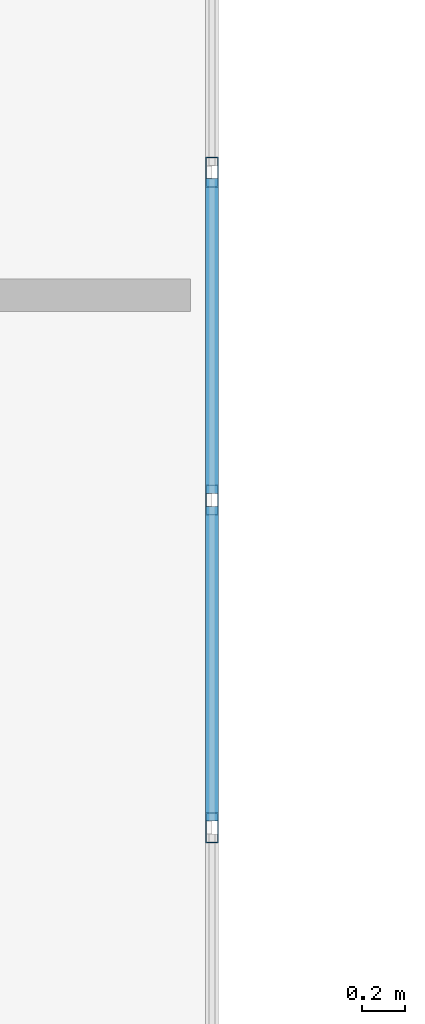
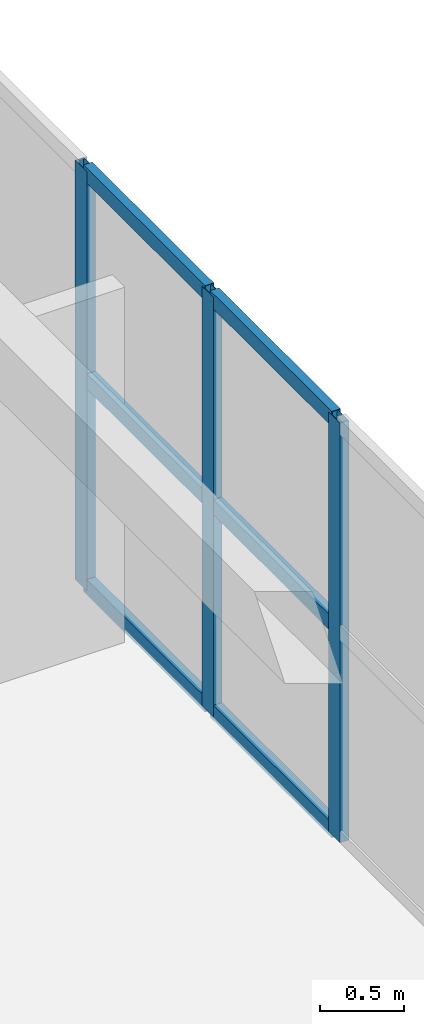
# One storey, part 75 of 200: 9 members, 1 element without a shape of its own.
"""IFC4 building model written with IfcOpenShell, lengths in metres."""

from ifc_helpers import new_model, si_unit, direction, frame, origin, origin_2d, place, context, subcontext, project, spatial, hollow_rectangle, extrude, material, layer, layer_set, material_profile, profile_set, type_object, element, aggregate, save


model = new_model("IFC4")

# Units and contexts
model_context = context("Model", 3, precision=1e-05, world=origin(), true_north=direction((0.0, 1.0)))
body_context = subcontext(model_context, "Body", "Model", "MODEL_VIEW")
ifc_project = project(units=[si_unit("LENGTHUNIT", "METRE"), si_unit("AREAUNIT", "SQUARE_METRE"), si_unit("VOLUMEUNIT", "CUBIC_METRE"), si_unit("PLANEANGLEUNIT", "RADIAN"), si_unit("MASSUNIT", "GRAM", prefix="KILO")], contexts=[model_context])

# Site, building, storey
site_placement = place(None, origin())
site = spatial("IfcSite", under=ifc_project, at=site_placement, CompositionType="ELEMENT")
building_placement = place(site_placement, origin())
building = spatial("IfcBuilding", under=site, at=building_placement, Name="Trelvath General Hospital", CompositionType="ELEMENT")
storey_placement = place(building_placement, frame((0.0, 0.0, 4.800048828125)))
storey = spatial("IfcBuildingStorey", under=building, at=storey_placement, Name="L01", CompositionType="ELEMENT", Elevation=4.800048828125)

# Curtain wall, members
ifc_material_1 = material(Name="Anodised aluminium and low-E glass", Category="aluminium")
ifc_layer = layer(ifc_material_1, 0.14990234375)
ifc_layer_set = layer_set([ifc_layer], Name="Anodised aluminium and low-E glass")
curtain_wall_type = type_object("IfcCurtainWallType", Name="CW CrystalCube 1664 306 15", PredefinedType="USERDEFINED", material=ifc_layer_set)
curtain_wall_placement = place(storey_placement, origin())
curtain_wall = element("IfcCurtainWall", 1, at=curtain_wall_placement, inside=storey, type_object=curtain_wall_type, Name="Crystal Cube Curtain Wall CUBE-E-T0 E4 L01", ObjectType="Unitised Glazed Curtain Wall", PredefinedType="USERDEFINED")
ifc_material_2 = material(Name="Anodised aluminium", Category="aluminium")
ifc_material_profile_1 = material_profile(ifc_material_2, hollow_rectangle(XDim=0.06005859375, YDim=0.139892578125, WallThickness=0.00390625, at=origin_2d()), Name="RHS60x140x4")
ifc_profile_set_1 = profile_set([ifc_material_profile_1], Name="Anodised aluminium")
member_type_1 = type_object("IfcMemberType", Name="CurtainMullion 60x140", PredefinedType="MULLION", material=ifc_profile_set_1)
member_1_placement = place(storey_placement, frame((121.199951171875, 55.01806640625, 0.0), z_axis=(0.0, 0.0, 1.0), x_axis=(1.0, 0.0, 0.0)))
member_1 = element("IfcMember", 2, at=member_1_placement, type_object=member_type_1, Name="CW-165 mullion 9", PredefinedType="MULLION", context=body_context, shape_type="SweptSolid", body=[
    extrude(hollow_rectangle(XDim=0.06005859375, YDim=0.139892578125, WallThickness=0.00390625, at=origin_2d()), origin(), (0.0, 0.0, 1.0), 3.06005859375),
])
member_2_placement = place(storey_placement, frame((121.199951171875, 53.50537109375, 0.0), z_axis=(0.0, 0.0, 1.0), x_axis=(1.0, 0.0, 0.0)))
member_2 = element("IfcMember", 3, at=member_2_placement, type_object=member_type_1, Name="CW-165 mullion 10", PredefinedType="MULLION", context=body_context, shape_type="SweptSolid", body=[
    extrude(hollow_rectangle(XDim=0.06005859375, YDim=0.139892578125, WallThickness=0.00390625, at=origin_2d()), origin(), (0.0, 0.0, 1.0), 3.06005859375),
])
member_3_placement = place(storey_placement, frame((121.199951171875, 51.99267578125, 0.0), z_axis=(0.0, 0.0, 1.0), x_axis=(1.0, 0.0, 0.0)))
member_3 = element("IfcMember", 4, at=member_3_placement, type_object=member_type_1, Name="CW-165 mullion 11", PredefinedType="MULLION", context=body_context, shape_type="SweptSolid", body=[
    extrude(hollow_rectangle(XDim=0.06005859375, YDim=0.139892578125, WallThickness=0.00390625, at=origin_2d()), origin(), (0.0, 0.0, 1.0), 3.06005859375),
])
ifc_material_3 = material(Name="Anodised aluminium", Category="aluminium")
ifc_material_profile_2 = material_profile(ifc_material_3, hollow_rectangle(XDim=0.06005859375, YDim=0.110107421875, WallThickness=0.00390625, at=origin_2d()), Name="RHS60x110x4")
ifc_profile_set_2 = profile_set([ifc_material_profile_2], Name="Anodised aluminium")
member_type_2 = type_object("IfcMemberType", Name="CurtainTransom 60x110", PredefinedType="USERDEFINED", material=ifc_profile_set_2)
member_4_placement = place(storey_placement, frame((121.199951171875, 54.98828125, 0.030029296875), z_axis=(0.0, -1.0, 0.0), x_axis=(1.0, 0.0, 0.0)))
member_4 = element("IfcMember", 5, at=member_4_placement, type_object=member_type_2, Name="CW-165 transom 9.1", ObjectType="TRANSOM", PredefinedType="USERDEFINED", context=body_context, shape_type="SweptSolid", body=[
    extrude(hollow_rectangle(XDim=0.06005859375, YDim=0.110107421875, WallThickness=0.00390625, at=origin_2d()), origin(), (0.0, 0.0, 1.0), 1.452880859375),
])
member_5_placement = place(storey_placement, frame((121.199951171875, 54.98828125, 1.530029296875), z_axis=(0.0, -1.0, 0.0), x_axis=(1.0, 0.0, 0.0)))
member_5 = element("IfcMember", 6, at=member_5_placement, type_object=member_type_2, Name="CW-165 transom 9.2", ObjectType="TRANSOM", PredefinedType="USERDEFINED", context=body_context, shape_type="SweptSolid", body=[
    extrude(hollow_rectangle(XDim=0.06005859375, YDim=0.110107421875, WallThickness=0.00390625, at=origin_2d()), origin(), (0.0, 0.0, 1.0), 1.452880859375),
])
member_6_placement = place(storey_placement, frame((121.199951171875, 54.98828125, 3.030029296875), z_axis=(0.0, -1.0, 0.0), x_axis=(1.0, 0.0, 0.0)))
member_6 = element("IfcMember", 7, at=member_6_placement, type_object=member_type_2, Name="CW-165 transom 9.3", ObjectType="TRANSOM", PredefinedType="USERDEFINED", context=body_context, shape_type="SweptSolid", body=[
    extrude(hollow_rectangle(XDim=0.06005859375, YDim=0.110107421875, WallThickness=0.00390625, at=origin_2d()), origin(), (0.0, 0.0, 1.0), 1.452880859375),
])
member_7_placement = place(storey_placement, frame((121.199951171875, 53.475341796875, 0.030029296875), z_axis=(0.0, -1.0, 0.0), x_axis=(1.0, 0.0, 0.0)))
member_7 = element("IfcMember", 8, at=member_7_placement, type_object=member_type_2, Name="CW-165 transom 10.1", ObjectType="TRANSOM", PredefinedType="USERDEFINED", context=body_context, shape_type="SweptSolid", body=[
    extrude(hollow_rectangle(XDim=0.06005859375, YDim=0.110107421875, WallThickness=0.00390625, at=origin_2d()), origin(), (0.0, 0.0, 1.0), 1.45263671875),
])
member_8_placement = place(storey_placement, frame((121.199951171875, 53.475341796875, 1.530029296875), z_axis=(0.0, -1.0, 0.0), x_axis=(1.0, 0.0, 0.0)))
member_8 = element("IfcMember", 9, at=member_8_placement, type_object=member_type_2, Name="CW-165 transom 10.2", ObjectType="TRANSOM", PredefinedType="USERDEFINED", context=body_context, shape_type="SweptSolid", body=[
    extrude(hollow_rectangle(XDim=0.06005859375, YDim=0.110107421875, WallThickness=0.00390625, at=origin_2d()), origin(), (0.0, 0.0, 1.0), 1.45263671875),
])
member_9_placement = place(storey_placement, frame((121.199951171875, 53.475341796875, 3.030029296875), z_axis=(0.0, -1.0, 0.0), x_axis=(1.0, 0.0, 0.0)))
member_9 = element("IfcMember", 10, at=member_9_placement, type_object=member_type_2, Name="CW-165 transom 10.3", ObjectType="TRANSOM", PredefinedType="USERDEFINED", context=body_context, shape_type="SweptSolid", body=[
    extrude(hollow_rectangle(XDim=0.06005859375, YDim=0.110107421875, WallThickness=0.00390625, at=origin_2d()), origin(), (0.0, 0.0, 1.0), 1.45263671875),
])
aggregate(curtain_wall, [member_1, member_2, member_3, member_4, member_5, member_6, member_7, member_8, member_9])

save(model, "model.ifc")
